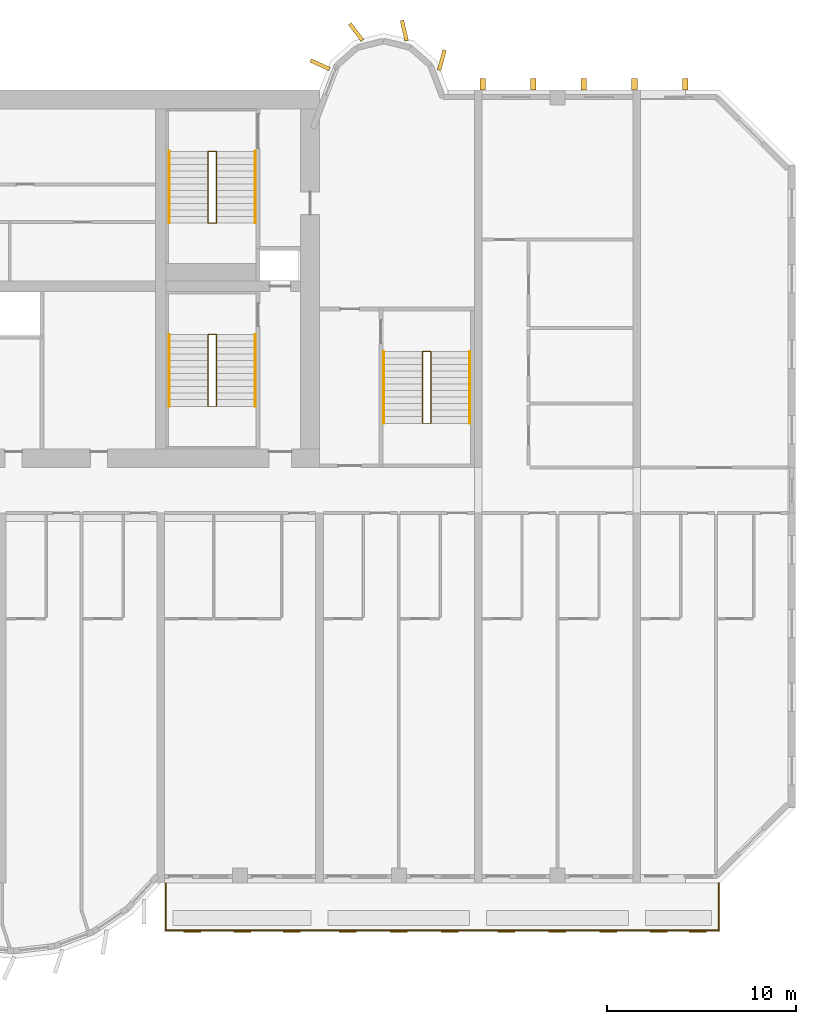
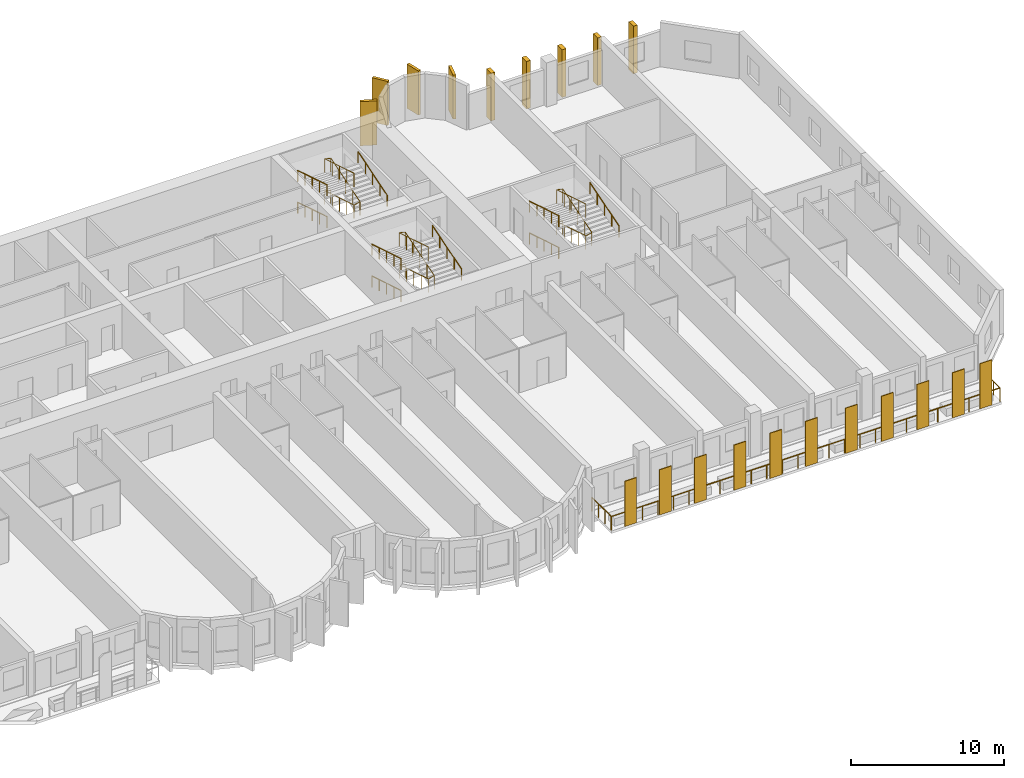
# One storey, part 13 of 14: 20 coverings, 13 railings.
"""IFC4 building model written with IfcOpenShell, lengths in metres."""

from ifc_helpers import new_model, si_unit, direction, frame, origin, origin_2d, place, context, subcontext, project, spatial, rectangle, circle, extrude, source, transform, mapped, material, layer, layer_set, material_profile, profile_set, type_object, element, save


model = new_model("IFC4")

# Units and contexts
model_context = context("Model", 3, precision=1e-05, world=origin(), true_north=direction((0.0, 1.0)))
body_context = subcontext(model_context, "Body", "Model", "MODEL_VIEW")
ifc_project = project(units=[si_unit("LENGTHUNIT", "METRE"), si_unit("AREAUNIT", "SQUARE_METRE"), si_unit("VOLUMEUNIT", "CUBIC_METRE"), si_unit("PLANEANGLEUNIT", "RADIAN"), si_unit("MASSUNIT", "GRAM", prefix="KILO")], contexts=[model_context])

# Site, building, storey
site_placement = place(None, origin())
site = spatial("IfcSite", under=ifc_project, at=site_placement, CompositionType="ELEMENT")
building_placement = place(site_placement, origin())
building = spatial("IfcBuilding", under=site, at=building_placement, Name="Vanashikhar Sky Hotel", CompositionType="ELEMENT")
storey_placement = place(building_placement, frame((0.0, 0.0, 54.39990234375)))
storey = spatial("IfcBuildingStorey", under=building, at=storey_placement, Name="L12", CompositionType="ELEMENT", Elevation=54.39990234375)

# Railing
ifc_material_1 = material(Name="Stainless steel 316", Category="steel")
railing_type_1 = type_object("IfcRailingType", Name="Balcony guard 1100", PredefinedType="GUARDRAIL", material=ifc_material_1)
shared_shape_1 = source(origin(), body_context, "Body", "SweptSolid", [
    extrude(circle(Radius=0.02392578125, at=origin_2d()), frame((0.0, 0.0, 1.076171875), z_axis=(0.0, -1.0, 0.0), x_axis=(1.0, 0.0, 0.0)), (0.0, 0.0, 1.0), 2.5),
    extrude(circle(Radius=0.02392578125, at=origin_2d()), frame((0.0, -2.5, 1.076171875), z_axis=(1.0, 0.0, 0.0), x_axis=(0.0, 1.0, 0.0)), (0.0, 0.0, 1.0), 29.280029296875),
    extrude(circle(Radius=0.02392578125, at=origin_2d()), frame((29.280029296875, -2.5, 1.076171875), z_axis=(0.0, 1.0, 0.0), x_axis=(-1.0, 0.0, 0.0)), (0.0, 0.0, 1.0), 2.5),
    extrude(circle(Radius=0.02099609375, at=origin_2d()), origin(), (0.0, 0.0, 1.0), 1.052001953125),
    extrude(circle(Radius=0.02099609375, at=origin_2d()), frame((0.0, -0.833251953125, 0.0)), (0.0, 0.0, 1.0), 1.052001953125),
    extrude(circle(Radius=0.02099609375, at=origin_2d()), frame((0.0, -1.666748046875, 0.0)), (0.0, 0.0, 1.0), 1.052001953125),
    extrude(circle(Radius=0.02099609375, at=origin_2d()), frame((0.0, -2.5, 0.0)), (0.0, 0.0, 1.0), 1.052001953125),
    extrude(circle(Radius=0.02099609375, at=origin_2d()), frame((1.171142578125, -2.5, 0.0)), (0.0, 0.0, 1.0), 1.052001953125),
    extrude(circle(Radius=0.02099609375, at=origin_2d()), frame((2.34228515625, -2.5, 0.0)), (0.0, 0.0, 1.0), 1.052001953125),
    extrude(circle(Radius=0.02099609375, at=origin_2d()), frame((3.513671875, -2.5, 0.0)), (0.0, 0.0, 1.0), 1.052001953125),
    extrude(circle(Radius=0.02099609375, at=origin_2d()), frame((4.684814453125, -2.5, 0.0)), (0.0, 0.0, 1.0), 1.052001953125),
    extrude(circle(Radius=0.02099609375, at=origin_2d()), frame((5.85595703125, -2.5, 0.0)), (0.0, 0.0, 1.0), 1.052001953125),
    extrude(circle(Radius=0.02099609375, at=origin_2d()), frame((7.027099609375, -2.5, 0.0)), (0.0, 0.0, 1.0), 1.052001953125),
    extrude(circle(Radius=0.02099609375, at=origin_2d()), frame((8.198486328125, -2.5, 0.0)), (0.0, 0.0, 1.0), 1.052001953125),
    extrude(circle(Radius=0.02099609375, at=origin_2d()), frame((9.36962890625, -2.5, 0.0)), (0.0, 0.0, 1.0), 1.052001953125),
    extrude(circle(Radius=0.02099609375, at=origin_2d()), frame((10.540771484375, -2.5, 0.0)), (0.0, 0.0, 1.0), 1.052001953125),
    extrude(circle(Radius=0.02099609375, at=origin_2d()), frame((11.7119140625, -2.5, 0.0)), (0.0, 0.0, 1.0), 1.052001953125),
    extrude(circle(Radius=0.02099609375, at=origin_2d()), frame((12.88330078125, -2.5, 0.0)), (0.0, 0.0, 1.0), 1.052001953125),
    extrude(circle(Radius=0.02099609375, at=origin_2d()), frame((14.054443359375, -2.5, 0.0)), (0.0, 0.0, 1.0), 1.052001953125),
    extrude(circle(Radius=0.02099609375, at=origin_2d()), frame((15.2255859375, -2.5, 0.0)), (0.0, 0.0, 1.0), 1.052001953125),
    extrude(circle(Radius=0.02099609375, at=origin_2d()), frame((16.396728515625, -2.5, 0.0)), (0.0, 0.0, 1.0), 1.052001953125),
    extrude(circle(Radius=0.02099609375, at=origin_2d()), frame((17.568115234375, -2.5, 0.0)), (0.0, 0.0, 1.0), 1.052001953125),
    extrude(circle(Radius=0.02099609375, at=origin_2d()), frame((18.7392578125, -2.5, 0.0)), (0.0, 0.0, 1.0), 1.052001953125),
    extrude(circle(Radius=0.02099609375, at=origin_2d()), frame((19.910400390625, -2.5, 0.0)), (0.0, 0.0, 1.0), 1.052001953125),
    extrude(circle(Radius=0.02099609375, at=origin_2d()), frame((21.08154296875, -2.5, 0.0)), (0.0, 0.0, 1.0), 1.052001953125),
    extrude(circle(Radius=0.02099609375, at=origin_2d()), frame((22.2529296875, -2.5, 0.0)), (0.0, 0.0, 1.0), 1.052001953125),
    extrude(circle(Radius=0.02099609375, at=origin_2d()), frame((23.424072265625, -2.5, 0.0)), (0.0, 0.0, 1.0), 1.052001953125),
    extrude(circle(Radius=0.02099609375, at=origin_2d()), frame((24.59521484375, -2.5, 0.0)), (0.0, 0.0, 1.0), 1.052001953125),
    extrude(circle(Radius=0.02099609375, at=origin_2d()), frame((25.766357421875, -2.5, 0.0)), (0.0, 0.0, 1.0), 1.052001953125),
    extrude(circle(Radius=0.02099609375, at=origin_2d()), frame((26.937744140625, -2.5, 0.0)), (0.0, 0.0, 1.0), 1.052001953125),
    extrude(circle(Radius=0.02099609375, at=origin_2d()), frame((28.10888671875, -2.5, 0.0)), (0.0, 0.0, 1.0), 1.052001953125),
    extrude(circle(Radius=0.02099609375, at=origin_2d()), frame((29.280029296875, -2.5, 0.0)), (0.0, 0.0, 1.0), 1.052001953125),
    extrude(circle(Radius=0.02099609375, at=origin_2d()), frame((29.280029296875, -1.666748046875, 0.0)), (0.0, 0.0, 1.0), 1.052001953125),
    extrude(circle(Radius=0.02099609375, at=origin_2d()), frame((29.280029296875, -0.833251953125, 0.0)), (0.0, 0.0, 1.0), 1.052001953125),
    extrude(circle(Radius=0.02099609375, at=origin_2d()), frame((29.280029296875, 0.0, 0.0)), (0.0, 0.0, 1.0), 1.052001953125),
])
railing_1_placement = place(storey_placement, frame((67.4599609375, 0.0, -0.0498046875)))
element("IfcRailing", 1, at=railing_1_placement, inside=storey, type_object=railing_type_1, Name="Balcony guard", PredefinedType="GUARDRAIL", context=body_context, shape_type="MappedRepresentation", body=[
    mapped(shared_shape_1, transform((0.0, 0.0, 0.0), scale=1.0)),
])

# Coverings
ifc_material_2 = material(Name="Terracotta", Category="masonry")
ifc_layer = layer(ifc_material_2, 0.06005859375)
ifc_layer_set = layer_set([ifc_layer], Name="Terracotta baguette screen")
covering_type_1 = type_object("IfcCoveringType", Name="Terracotta baguette screen", PredefinedType="CLADDING", material=ifc_layer_set)
shared_shape_2 = source(origin(), body_context, "Body", "SweptSolid", [
    extrude(rectangle(XDim=0.89990234375, YDim=0.06005859375, at=origin_2d()), origin(), (0.0, 0.0, 1.0), 3.60009765625),
])
for number, where, z_axis, x_axis, name in (
    (2, (68.86669921875, -2.570068359375, -0.050048828125), (0.0, 0.0, 1.0), (1.0, 0.0, 0.0), "Terracotta screen"),
    (3, (71.5, -2.570068359375, -0.050048828125), (0.0, 0.0, 1.0), (1.0, 0.0, 0.0), "Terracotta screen"),
    (4, (74.13330078125, -2.570068359375, -0.050048828125), (0.0, 0.0, 1.0), (1.0, 0.0, 0.0), "Terracotta screen"),
    (5, (77.10009765625, -2.570068359375, -0.050048828125), (0.0, 0.0, 1.0), (1.0, 0.0, 0.0), "Terracotta screen"),
    (6, (79.800048828125, -2.570068359375, -0.050048828125), (0.0, 0.0, 1.0), (1.0, 0.0, 0.0), "Terracotta screen"),
    (7, (82.5, -2.570068359375, -0.050048828125), (0.0, 0.0, 1.0), (1.0, 0.0, 0.0), "Terracotta screen"),
    (8, (85.5, -2.570068359375, -0.050048828125), (0.0, 0.0, 1.0), (1.0, 0.0, 0.0), "Terracotta screen"),
    (9, (88.199951171875, -2.570068359375, -0.050048828125), (0.0, 0.0, 1.0), (1.0, 0.0, 0.0), "Terracotta screen"),
    (10, (90.89990234375, -2.570068359375, -0.050048828125), (0.0, 0.0, 1.0), (1.0, 0.0, 0.0), "Terracotta screen"),
    (11, (93.574951171875, -2.570068359375, -0.050048828125), (0.0, 0.0, 1.0), (1.0, 0.0, 0.0), "Terracotta screen"),
    (12, (95.625, -2.570068359375, -0.050048828125), (0.0, 0.0, 1.0), (1.0, 0.0, 0.0), "Terracotta screen"),
):
    element("IfcCovering", number, at=place(storey_placement, frame(where, z_axis=z_axis, x_axis=x_axis)), inside=storey, type_object=covering_type_1, Name=name, PredefinedType="CLADDING", context=body_context, shape_type="MappedRepresentation", body=[
        mapped(shared_shape_2, transform((0.0, 0.0, 0.0), scale=1.0)),
    ])
ifc_material_3 = material(Name="Concrete M60 dark", Category="concrete")
ifc_material_profile_1 = material_profile(ifc_material_3, rectangle(XDim=1.10009765625, YDim=0.199951171875, at=origin_2d()))
ifc_profile_set_1 = profile_set([ifc_material_profile_1], Name="Rear lobe fin 1100 x 200")
covering_type_2 = type_object("IfcCoveringType", Name="Rear lobe fin 1100 x 200", PredefinedType="CLADDING", material=ifc_profile_set_1)
shared_shape_3 = source(origin(), body_context, "Body", "SweptSolid", [
    extrude(rectangle(XDim=1.10009765625, YDim=0.199951171875, at=origin_2d()), origin(), (0.0, 0.0, 1.0), 3.52001953125),
])
for number, where, z_axis, x_axis, name in (
    (13, (75.63037109375, 43.33447265625, 0.0), (0.0, 0.0, 1.0), (-0.908004291068, 0.418960866193, 0.0), "Fin R2-1"),
    (14, (77.5380859375, 45.06640625, 0.0), (0.0, 0.0, 1.0), (-0.602065892195, 0.798446404874, 0.0), "Fin R2-2"),
    (15, (80.08984375, 45.1455078125, 0.0), (0.0, 0.0, 1.0), (-0.224644935864, 0.974440687159, 0.0), "Fin R2-3"),
    (16, (82.0791015625, 43.580078125, 0.0), (0.0, 0.0, 1.0), (0.262711264409, 0.964874495234, 0.0), "Fin R2-4"),
):
    element("IfcCovering", number, at=place(storey_placement, frame(where, z_axis=z_axis, x_axis=x_axis)), inside=storey, type_object=covering_type_2, Name=name, PredefinedType="CLADDING", context=body_context, shape_type="MappedRepresentation", body=[
        mapped(shared_shape_3, transform((0.0, 0.0, 0.0), scale=1.0)),
    ])
ifc_material_profile_2 = material_profile(ifc_material_3, rectangle(XDim=0.60009765625, YDim=0.300048828125, at=origin_2d()))
ifc_profile_set_2 = profile_set([ifc_material_profile_2], Name="Rear rib 600 x 300")
covering_type_3 = type_object("IfcCoveringType", Name="Rear rib 600 x 300", PredefinedType="CLADDING", material=ifc_profile_set_2)
shared_shape_4 = source(origin(), body_context, "Body", "SweptSolid", [
    extrude(rectangle(XDim=0.60009765625, YDim=0.300048828125, at=origin_2d()), origin(), (0.0, 0.0, 1.0), 3.7998046875),
])
for number, where, z_axis, x_axis, name in (
    (17, (84.239990234375, 42.300048828125, -0.27978515625), (0.0, 0.0, 1.0), (0.0, 1.0, 0.0), "Rear rib"),
    (18, (86.919921875, 42.300048828125, -0.27978515625), (0.0, 0.0, 1.0), (0.0, 1.0, 0.0), "Rear rib"),
    (19, (89.60009765625, 42.300048828125, -0.27978515625), (0.0, 0.0, 1.0), (0.0, 1.0, 0.0), "Rear rib"),
    (20, (92.280029296875, 42.300048828125, -0.27978515625), (0.0, 0.0, 1.0), (0.0, 1.0, 0.0), "Rear rib"),
    (21, (94.9599609375, 42.300048828125, -0.27978515625), (0.0, 0.0, 1.0), (0.0, 1.0, 0.0), "Rear rib"),
):
    element("IfcCovering", number, at=place(storey_placement, frame(where, z_axis=z_axis, x_axis=x_axis)), inside=storey, type_object=covering_type_3, Name=name, PredefinedType="CLADDING", context=body_context, shape_type="MappedRepresentation", body=[
        mapped(shared_shape_4, transform((0.0, 0.0, 0.0), scale=1.0)),
    ])

# Railings
ifc_material_4 = material(Name="Steel S355", Category="steel")
railing_type_2 = type_object("IfcRailingType", Name="Stair handrail 900", PredefinedType="HANDRAIL", material=ifc_material_4)
shared_shape_5 = source(origin(), body_context, "Body", "SweptSolid", [
    extrude(circle(Radius=0.02392578125, at=origin_2d()), frame((0.0, 0.0, 0.8759765625), z_axis=(0.0, 0.95635109408, 0.292220096591), x_axis=(-1.0, 0.0, 0.0)), (0.0, 0.0, 1.0), 3.973388671875),
    extrude(circle(Radius=0.02099609375, at=origin_2d()), origin(), (0.0, 0.0, 1.0), 0.851806640625),
    extrude(circle(Radius=0.02099609375, at=origin_2d()), frame((0.0, 0.949951171875, 0.290283203125)), (0.0, 0.0, 1.0), 0.851806640625),
    extrude(circle(Radius=0.02099609375, at=origin_2d()), frame((0.0, 1.89990234375, 0.58056640625)), (0.0, 0.0, 1.0), 0.851806640625),
    extrude(circle(Radius=0.02099609375, at=origin_2d()), frame((0.0, 2.85009765625, 0.870849609375)), (0.0, 0.0, 1.0), 0.851806640625),
    extrude(circle(Radius=0.02099609375, at=origin_2d()), frame((0.0, 3.800048828125, 1.1611328125)), (0.0, 0.0, 1.0), 0.851806640625),
])
for number, where, name in (
    (22, (72.199951171875, 25.25, 1.372314453125), "Exit stair 2 handrail"),
    (23, (72.199951171875, 34.949951171875, 1.372314453125), "Exit stair 6 handrail"),
):
    element("IfcRailing", number, at=place(storey_placement, frame(where)), inside=storey, type_object=railing_type_2, Name=name, PredefinedType="HANDRAIL", context=body_context, shape_type="MappedRepresentation", body=[
        mapped(shared_shape_5, transform((0.0, 0.0, 0.0), scale=1.0)),
    ])
shared_shape_6 = source(origin(), body_context, "Body", "SweptSolid", [
    extrude(circle(Radius=0.02392578125, at=origin_2d()), frame((0.0, 0.0, 0.8759765625), z_axis=(0.0, -0.95635109408, 0.292220096591), x_axis=(1.0, 0.0, 0.0)), (0.0, 0.0, 1.0), 3.973388671875),
    extrude(circle(Radius=0.02099609375, at=origin_2d()), origin(), (0.0, 0.0, 1.0), 0.851806640625),
    extrude(circle(Radius=0.02099609375, at=origin_2d()), frame((0.0, -0.949951171875, 0.290283203125)), (0.0, 0.0, 1.0), 0.851806640625),
    extrude(circle(Radius=0.02099609375, at=origin_2d()), frame((0.0, -1.89990234375, 0.58056640625)), (0.0, 0.0, 1.0), 0.851806640625),
    extrude(circle(Radius=0.02099609375, at=origin_2d()), frame((0.0, -2.85009765625, 0.870849609375)), (0.0, 0.0, 1.0), 0.851806640625),
    extrude(circle(Radius=0.02099609375, at=origin_2d()), frame((0.0, -3.800048828125, 1.1611328125)), (0.0, 0.0, 1.0), 0.851806640625),
])
for number, where, name in (
    (24, (67.64990234375, 29.050048828125, 0.105712890625), "Exit stair 2 handrail"),
    (25, (67.64990234375, 29.050048828125, 2.638916015625), "Exit stair 2 handrail"),
    (26, (67.64990234375, 38.75, 0.105712890625), "Exit stair 6 handrail"),
    (27, (67.64990234375, 38.75, 2.638916015625), "Exit stair 6 handrail"),
):
    element("IfcRailing", number, at=place(storey_placement, frame(where)), inside=storey, type_object=railing_type_2, Name=name, PredefinedType="HANDRAIL", context=body_context, shape_type="MappedRepresentation", body=[
        mapped(shared_shape_6, transform((0.0, 0.0, 0.0), scale=1.0)),
    ])
railing_type_3 = type_object("IfcRailingType", Name="Stair guard 1100", PredefinedType="GUARDRAIL", material=ifc_material_4)
shared_shape_7 = source(origin(), body_context, "Body", "SweptSolid", [
    extrude(circle(Radius=0.02392578125, at=origin_2d()), frame((0.0, 0.0, 1.076171875), z_axis=(-0.973493315427, 0.0, 0.228715466945), x_axis=(0.0, -1.0, 0.0)), (0.0, 0.0, 1.0), 0.462158203125),
    extrude(circle(Radius=0.02392578125, at=origin_2d()), frame((-0.449951171875, 0.0, 1.181640625), z_axis=(0.0, -0.95635109408, 0.292220096591), x_axis=(1.0, 0.0, 0.0)), (0.0, 0.0, 1.0), 3.973388671875),
    extrude(circle(Radius=0.02392578125, at=origin_2d()), frame((-0.449951171875, -3.800048828125, 2.3427734375), z_axis=(0.973610808694, 0.0, 0.228214796178), x_axis=(0.0, 1.0, 0.0)), (0.0, 0.0, 1.0), 0.462158203125),
    extrude(circle(Radius=0.02392578125, at=origin_2d()), frame((0.0, -3.800048828125, 2.4482421875), z_axis=(0.0, 0.95635109408, 0.292220096591), x_axis=(-1.0, 0.0, 0.0)), (0.0, 0.0, 1.0), 3.973388671875),
    extrude(circle(Radius=0.02392578125, at=origin_2d()), frame((0.0, 0.0, 3.609375), z_axis=(-0.973610808694, 0.0, 0.228214796178), x_axis=(0.0, -1.0, 0.0)), (0.0, 0.0, 1.0), 0.462158203125),
    extrude(circle(Radius=0.02392578125, at=origin_2d()), frame((-0.449951171875, 0.0, 3.71484375), z_axis=(0.0, -0.95635109408, 0.292220096591), x_axis=(1.0, 0.0, 0.0)), (0.0, 0.0, 1.0), 3.973388671875),
    extrude(circle(Radius=0.02099609375, at=origin_2d()), origin(), (0.0, 0.0, 1.0), 1.052001953125),
    extrude(circle(Radius=0.02099609375, at=origin_2d()), frame((-0.449951171875, 0.0, 0.105712890625)), (0.0, 0.0, 1.0), 1.052001953125),
    extrude(circle(Radius=0.02099609375, at=origin_2d()), frame((-0.449951171875, -0.949951171875, 0.39599609375)), (0.0, 0.0, 1.0), 1.052001953125),
    extrude(circle(Radius=0.02099609375, at=origin_2d()), frame((-0.449951171875, -1.89990234375, 0.686279296875)), (0.0, 0.0, 1.0), 1.052001953125),
    extrude(circle(Radius=0.02099609375, at=origin_2d()), frame((-0.449951171875, -2.85009765625, 0.9765625)), (0.0, 0.0, 1.0), 1.052001953125),
    extrude(circle(Radius=0.02099609375, at=origin_2d()), frame((-0.449951171875, -3.800048828125, 1.266845703125)), (0.0, 0.0, 1.0), 1.052001953125),
    extrude(circle(Radius=0.02099609375, at=origin_2d()), frame((0.0, -3.800048828125, 1.372314453125)), (0.0, 0.0, 1.0), 1.052001953125),
    extrude(circle(Radius=0.02099609375, at=origin_2d()), frame((0.0, -2.85009765625, 1.66259765625)), (0.0, 0.0, 1.0), 1.052001953125),
    extrude(circle(Radius=0.02099609375, at=origin_2d()), frame((0.0, -1.89990234375, 1.952880859375)), (0.0, 0.0, 1.0), 1.052001953125),
    extrude(circle(Radius=0.02099609375, at=origin_2d()), frame((0.0, -0.949951171875, 2.2431640625)), (0.0, 0.0, 1.0), 1.052001953125),
    extrude(circle(Radius=0.02099609375, at=origin_2d()), frame((0.0, 0.0, 2.533447265625)), (0.0, 0.0, 1.0), 1.052001953125),
    extrude(circle(Radius=0.02099609375, at=origin_2d()), frame((-0.449951171875, 0.0, 2.638916015625)), (0.0, 0.0, 1.0), 1.052001953125),
    extrude(circle(Radius=0.02099609375, at=origin_2d()), frame((-0.449951171875, -0.949951171875, 2.92919921875)), (0.0, 0.0, 1.0), 1.052001953125),
    extrude(circle(Radius=0.02099609375, at=origin_2d()), frame((-0.449951171875, -1.89990234375, 3.219482421875)), (0.0, 0.0, 1.0), 1.052001953125),
    extrude(circle(Radius=0.02099609375, at=origin_2d()), frame((-0.449951171875, -2.85009765625, 3.509765625)), (0.0, 0.0, 1.0), 1.052001953125),
    extrude(circle(Radius=0.02099609375, at=origin_2d()), frame((-0.449951171875, -3.800048828125, 3.800048828125)), (0.0, 0.0, 1.0), 1.052001953125),
])
for number, where, name in (
    (28, (70.14990234375, 29.050048828125, 0.0), "Exit stair 2 guard"),
    (29, (70.14990234375, 38.75, 0.0), "Exit stair 6 guard"),
):
    element("IfcRailing", number, at=place(storey_placement, frame(where)), inside=storey, type_object=railing_type_3, Name=name, PredefinedType="GUARDRAIL", context=body_context, shape_type="MappedRepresentation", body=[
        mapped(shared_shape_7, transform((0.0, 0.0, 0.0), scale=1.0)),
    ])
shared_shape_8 = source(origin(), body_context, "Body", "SweptSolid", [
    extrude(circle(Radius=0.02392578125, at=origin_2d()), frame((0.0, 0.0, 0.8759765625), z_axis=(0.0, 0.956345846891, 0.292237268557), x_axis=(-1.0, 0.0, 0.0)), (0.0, 0.0, 1.0), 3.97314453125),
    extrude(circle(Radius=0.02099609375, at=origin_2d()), origin(), (0.0, 0.0, 1.0), 0.851806640625),
    extrude(circle(Radius=0.02099609375, at=origin_2d()), frame((0.0, 0.949951171875, 0.290283203125)), (0.0, 0.0, 1.0), 0.851806640625),
    extrude(circle(Radius=0.02099609375, at=origin_2d()), frame((0.0, 1.89990234375, 0.58056640625)), (0.0, 0.0, 1.0), 0.851806640625),
    extrude(circle(Radius=0.02099609375, at=origin_2d()), frame((0.0, 2.849853515625, 0.870849609375)), (0.0, 0.0, 1.0), 0.851806640625),
    extrude(circle(Radius=0.02099609375, at=origin_2d()), frame((0.0, 3.7998046875, 1.1611328125)), (0.0, 0.0, 1.0), 0.851806640625),
])
railing_2_placement = place(storey_placement, frame((83.550048828125, 24.35009765625, 1.372314453125)))
element("IfcRailing", 30, at=railing_2_placement, inside=storey, type_object=railing_type_2, Name="Exit stair 4 handrail", PredefinedType="HANDRAIL", context=body_context, shape_type="MappedRepresentation", body=[
    mapped(shared_shape_8, transform((0.0, 0.0, 0.0), scale=1.0)),
])
shared_shape_9 = source(origin(), body_context, "Body", "SweptSolid", [
    extrude(circle(Radius=0.02392578125, at=origin_2d()), frame((0.0, 0.0, 0.8759765625), z_axis=(0.0, -0.956345846891, 0.292237268557), x_axis=(1.0, 0.0, 0.0)), (0.0, 0.0, 1.0), 3.97314453125),
    extrude(circle(Radius=0.02099609375, at=origin_2d()), origin(), (0.0, 0.0, 1.0), 0.851806640625),
    extrude(circle(Radius=0.02099609375, at=origin_2d()), frame((0.0, -0.949951171875, 0.290283203125)), (0.0, 0.0, 1.0), 0.851806640625),
    extrude(circle(Radius=0.02099609375, at=origin_2d()), frame((0.0, -1.89990234375, 0.58056640625)), (0.0, 0.0, 1.0), 0.851806640625),
    extrude(circle(Radius=0.02099609375, at=origin_2d()), frame((0.0, -2.849853515625, 0.870849609375)), (0.0, 0.0, 1.0), 0.851806640625),
    extrude(circle(Radius=0.02099609375, at=origin_2d()), frame((0.0, -3.7998046875, 1.1611328125)), (0.0, 0.0, 1.0), 0.851806640625),
])
for number, where, name in (
    (31, (79.0, 28.14990234375, 0.105712890625), "Exit stair 4 handrail"),
    (32, (79.0, 28.14990234375, 2.638916015625), "Exit stair 4 handrail"),
):
    element("IfcRailing", number, at=place(storey_placement, frame(where)), inside=storey, type_object=railing_type_2, Name=name, PredefinedType="HANDRAIL", context=body_context, shape_type="MappedRepresentation", body=[
        mapped(shared_shape_9, transform((0.0, 0.0, 0.0), scale=1.0)),
    ])
shared_shape_10 = source(origin(), body_context, "Body", "SweptSolid", [
    extrude(circle(Radius=0.02392578125, at=origin_2d()), frame((0.0, 0.0, 1.076171875), z_axis=(-0.973493315427, 0.0, 0.228715466945), x_axis=(0.0, -1.0, 0.0)), (0.0, 0.0, 1.0), 0.462158203125),
    extrude(circle(Radius=0.02392578125, at=origin_2d()), frame((-0.449951171875, 0.0, 1.181640625), z_axis=(0.0, -0.956345846891, 0.292237268557), x_axis=(1.0, 0.0, 0.0)), (0.0, 0.0, 1.0), 3.97314453125),
    extrude(circle(Radius=0.02392578125, at=origin_2d()), frame((-0.449951171875, -3.7998046875, 2.3427734375), z_axis=(0.973610808694, 0.0, 0.228214796178), x_axis=(0.0, 1.0, 0.0)), (0.0, 0.0, 1.0), 0.462158203125),
    extrude(circle(Radius=0.02392578125, at=origin_2d()), frame((0.0, -3.7998046875, 2.4482421875), z_axis=(0.0, 0.956345846891, 0.292237268557), x_axis=(-1.0, 0.0, 0.0)), (0.0, 0.0, 1.0), 3.97314453125),
    extrude(circle(Radius=0.02392578125, at=origin_2d()), frame((0.0, 0.0, 3.609375), z_axis=(-0.973610808694, 0.0, 0.228214796178), x_axis=(0.0, -1.0, 0.0)), (0.0, 0.0, 1.0), 0.462158203125),
    extrude(circle(Radius=0.02392578125, at=origin_2d()), frame((-0.449951171875, 0.0, 3.71484375), z_axis=(0.0, -0.956345846891, 0.292237268557), x_axis=(1.0, 0.0, 0.0)), (0.0, 0.0, 1.0), 3.97314453125),
    extrude(circle(Radius=0.02099609375, at=origin_2d()), origin(), (0.0, 0.0, 1.0), 1.052001953125),
    extrude(circle(Radius=0.02099609375, at=origin_2d()), frame((-0.449951171875, 0.0, 0.105712890625)), (0.0, 0.0, 1.0), 1.052001953125),
    extrude(circle(Radius=0.02099609375, at=origin_2d()), frame((-0.449951171875, -0.949951171875, 0.39599609375)), (0.0, 0.0, 1.0), 1.052001953125),
    extrude(circle(Radius=0.02099609375, at=origin_2d()), frame((-0.449951171875, -1.89990234375, 0.686279296875)), (0.0, 0.0, 1.0), 1.052001953125),
    extrude(circle(Radius=0.02099609375, at=origin_2d()), frame((-0.449951171875, -2.849853515625, 0.9765625)), (0.0, 0.0, 1.0), 1.052001953125),
    extrude(circle(Radius=0.02099609375, at=origin_2d()), frame((-0.449951171875, -3.7998046875, 1.266845703125)), (0.0, 0.0, 1.0), 1.052001953125),
    extrude(circle(Radius=0.02099609375, at=origin_2d()), frame((0.0, -3.7998046875, 1.372314453125)), (0.0, 0.0, 1.0), 1.052001953125),
    extrude(circle(Radius=0.02099609375, at=origin_2d()), frame((0.0, -2.849853515625, 1.66259765625)), (0.0, 0.0, 1.0), 1.052001953125),
    extrude(circle(Radius=0.02099609375, at=origin_2d()), frame((0.0, -1.89990234375, 1.952880859375)), (0.0, 0.0, 1.0), 1.052001953125),
    extrude(circle(Radius=0.02099609375, at=origin_2d()), frame((0.0, -0.949951171875, 2.2431640625)), (0.0, 0.0, 1.0), 1.052001953125),
    extrude(circle(Radius=0.02099609375, at=origin_2d()), frame((0.0, 0.0, 2.533447265625)), (0.0, 0.0, 1.0), 1.052001953125),
    extrude(circle(Radius=0.02099609375, at=origin_2d()), frame((-0.449951171875, 0.0, 2.638916015625)), (0.0, 0.0, 1.0), 1.052001953125),
    extrude(circle(Radius=0.02099609375, at=origin_2d()), frame((-0.449951171875, -0.949951171875, 2.92919921875)), (0.0, 0.0, 1.0), 1.052001953125),
    extrude(circle(Radius=0.02099609375, at=origin_2d()), frame((-0.449951171875, -1.89990234375, 3.219482421875)), (0.0, 0.0, 1.0), 1.052001953125),
    extrude(circle(Radius=0.02099609375, at=origin_2d()), frame((-0.449951171875, -2.849853515625, 3.509765625)), (0.0, 0.0, 1.0), 1.052001953125),
    extrude(circle(Radius=0.02099609375, at=origin_2d()), frame((-0.449951171875, -3.7998046875, 3.800048828125)), (0.0, 0.0, 1.0), 1.052001953125),
])
railing_3_placement = place(storey_placement, frame((81.5, 28.14990234375, 0.0)))
element("IfcRailing", 33, at=railing_3_placement, inside=storey, type_object=railing_type_3, Name="Exit stair 4 guard", PredefinedType="GUARDRAIL", context=body_context, shape_type="MappedRepresentation", body=[
    mapped(shared_shape_10, transform((0.0, 0.0, 0.0), scale=1.0)),
])

save(model, "model.ifc")
